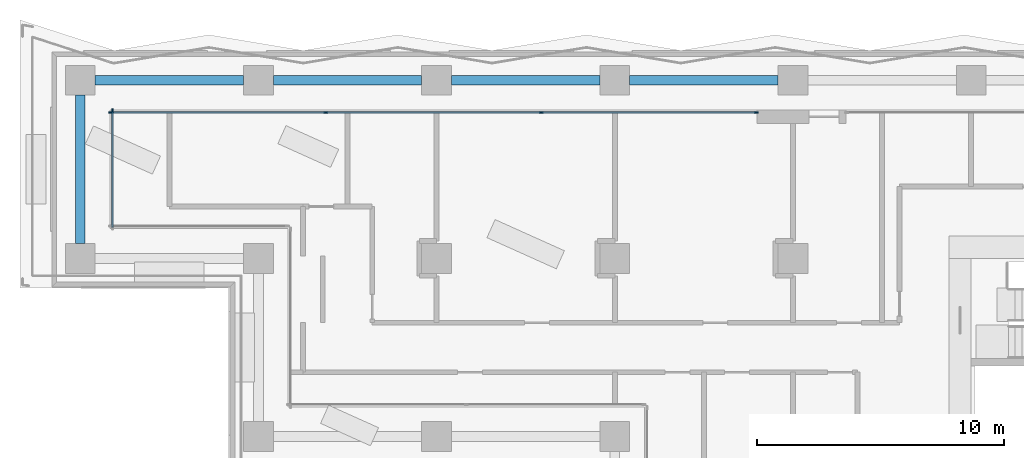
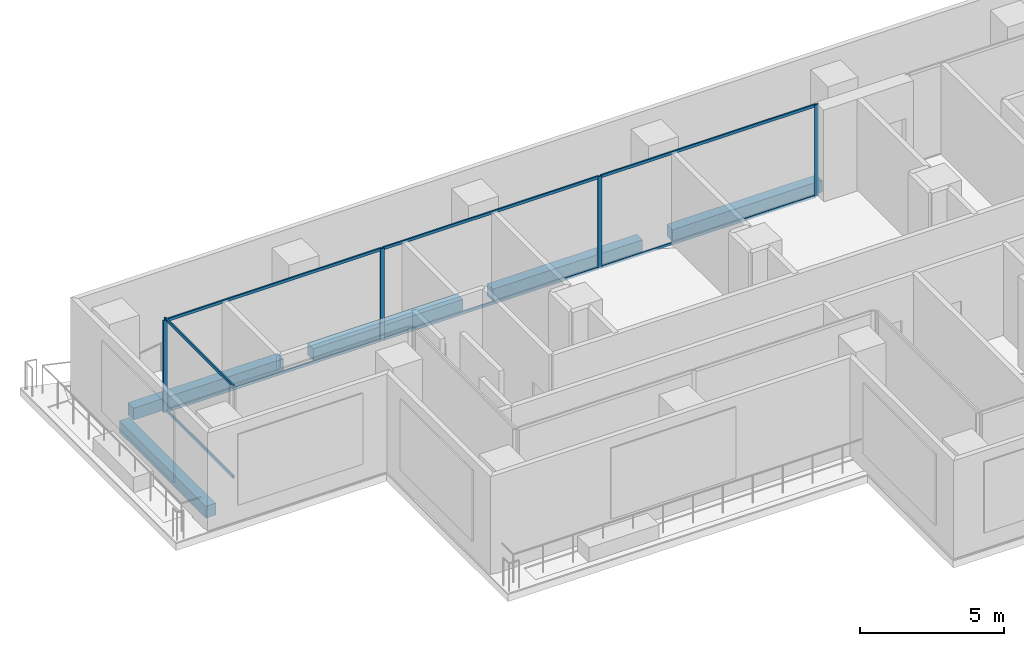
# One storey, part 5 of 24: 13 members, 5 beams, 2 elements without a shape of their own.
"""IFC4 building model written with IfcOpenShell, lengths in metres."""

from ifc_helpers import new_model, si_unit, direction, frame, origin, origin_2d, place, context, subcontext, project, spatial, rectangle, extrude, material, material_profile, profile_set, type_object, element, aggregate, save


model = new_model("IFC4")

# Units and contexts
model_context = context("Model", 3, precision=1e-05, world=origin(), true_north=direction((0.0, 1.0)))
body_context = subcontext(model_context, "Body", "Model", "MODEL_VIEW")
ifc_project = project(units=[si_unit("LENGTHUNIT", "METRE"), si_unit("AREAUNIT", "SQUARE_METRE"), si_unit("VOLUMEUNIT", "CUBIC_METRE"), si_unit("PLANEANGLEUNIT", "RADIAN"), si_unit("MASSUNIT", "GRAM", prefix="KILO")], contexts=[model_context])

# Site, building, storey
site_placement = place(None, origin())
site = spatial("IfcSite", under=ifc_project, at=site_placement, CompositionType="ELEMENT")
building_placement = place(site_placement, origin())
building = spatial("IfcBuilding", under=site, at=building_placement, Name="Windrow Commons", CompositionType="ELEMENT")
storey_placement = place(building_placement, frame((0.0, 0.0, 67.8)))
storey = spatial("IfcBuildingStorey", under=building, at=storey_placement, Name="L18", CompositionType="ELEMENT", Elevation=67.8)

# Curtain wall, members
ifc_material_1 = material(Name="Clear laminated glass in Aluminium 6063-T6 anodised frame", Category="aluminium")
curtain_wall_type = type_object("IfcCurtainWallType", Name="Curtain wall CW2 sky lounge", PredefinedType="USERDEFINED", material=ifc_material_1)
placement = place(storey_placement, origin())
curtain_wall_1 = element("IfcCurtainWall", 1, at=placement, inside=storey, type_object=curtain_wall_type, Name="Curtain wall CW2 L18 4.2", ObjectType="UNITISED", PredefinedType="USERDEFINED")
ifc_material_2 = material(Name="Aluminium 6063-T6", Category="aluminium")
ifc_material_profile_1 = material_profile(ifc_material_2, rectangle(XDim=0.06, YDim=0.16, at=origin_2d()))
ifc_profile_set_1 = profile_set([ifc_material_profile_1], Name="Aluminium 6063-T6")
member_type_1 = type_object("IfcMemberType", Name="CW2 mullion 60x160", PredefinedType="MULLION", material=ifc_profile_set_1)
member_1_placement = place(storey_placement, frame((48.9219, 70.7, 0.0), z_axis=(0.0, 0.0, 1.0), x_axis=(0.0, -1.0, 0.0)))
member_1 = element("IfcMember", 2, at=member_1_placement, type_object=member_type_1, Name="CW2 mullion 1", PredefinedType="MULLION", context=body_context, shape_type="SweptSolid", body=[
    extrude(rectangle(XDim=0.06, YDim=0.16, at=origin_2d()), origin(), (0.0, 0.0, 1.0), 3.9),
])
member_2_placement = place(storey_placement, frame((40.2346, 70.7, 0.0), z_axis=(0.0, 0.0, 1.0), x_axis=(0.0, -1.0, 0.0)))
member_2 = element("IfcMember", 3, at=member_2_placement, type_object=member_type_1, Name="CW2 mullion 2", PredefinedType="MULLION", context=body_context, shape_type="SweptSolid", body=[
    extrude(rectangle(XDim=0.06, YDim=0.16, at=origin_2d()), origin(), (0.0, 0.0, 1.0), 3.9),
])
member_3_placement = place(storey_placement, frame((31.5173, 70.7, 0.0), z_axis=(0.0, 0.0, 1.0), x_axis=(0.0, -1.0, 0.0)))
member_3 = element("IfcMember", 4, at=member_3_placement, type_object=member_type_1, Name="CW2 mullion 3", PredefinedType="MULLION", context=body_context, shape_type="SweptSolid", body=[
    extrude(rectangle(XDim=0.06, YDim=0.16, at=origin_2d()), origin(), (0.0, 0.0, 1.0), 3.9),
])
member_4_placement = place(storey_placement, frame((22.83, 70.7, 0.0), z_axis=(0.0, 0.0, 1.0), x_axis=(0.0, -1.0, 0.0)))
member_4 = element("IfcMember", 5, at=member_4_placement, type_object=member_type_1, Name="CW2 mullion 4", PredefinedType="MULLION", context=body_context, shape_type="SweptSolid", body=[
    extrude(rectangle(XDim=0.06, YDim=0.16, at=origin_2d()), origin(), (0.0, 0.0, 1.0), 3.9),
])

# Curtain wall, member
curtain_wall_2 = element("IfcCurtainWall", 6, at=placement, inside=storey, type_object=curtain_wall_type, Name="Curtain wall CW2 L18 5", ObjectType="UNITISED", PredefinedType="USERDEFINED")
member_5_placement = place(storey_placement, frame((22.9, 70.77, 0.0), z_axis=(0.0, 0.0, 1.0), x_axis=(1.0, 0.0, 0.0)))
member_5 = element("IfcMember", 7, at=member_5_placement, type_object=member_type_1, Name="CW2 mullion 1", PredefinedType="MULLION", context=body_context, shape_type="SweptSolid", body=[
    extrude(rectangle(XDim=0.06, YDim=0.16, at=origin_2d()), origin(), (0.0, 0.0, 1.0), 3.9),
])

# Member
ifc_material_3 = material(Name="Aluminium 6063-T6", Category="aluminium")
ifc_material_profile_2 = material_profile(ifc_material_3, rectangle(XDim=0.06, YDim=0.12, at=origin_2d()))
ifc_profile_set_2 = profile_set([ifc_material_profile_2], Name="Aluminium 6063-T6")
member_type_2 = type_object("IfcMemberType", Name="CW2 transom 60x120", PredefinedType="USERDEFINED", material=ifc_profile_set_2)
member_6_placement = place(storey_placement, frame((48.8919, 70.7, 0.03), z_axis=(-1.0, 0.0, 0.0), x_axis=(0.0, -1.0, 0.0)))
member_6 = element("IfcMember", 8, at=member_6_placement, type_object=member_type_2, Name="CW2 transom 1.1", ObjectType="TRANSOM", PredefinedType="USERDEFINED", context=body_context, shape_type="SweptSolid", body=[
    extrude(rectangle(XDim=0.06, YDim=0.12, at=origin_2d()), origin(), (0.0, 0.0, 1.0), 8.6273),
])

member_7_placement = place(storey_placement, frame((48.8919, 70.7, 3.87), z_axis=(-1.0, 0.0, 0.0), x_axis=(0.0, -1.0, 0.0)))
member_7 = element("IfcMember", 9, at=member_7_placement, type_object=member_type_2, Name="CW2 transom 1.2", ObjectType="TRANSOM", PredefinedType="USERDEFINED", context=body_context, shape_type="SweptSolid", body=[
    extrude(rectangle(XDim=0.06, YDim=0.12, at=origin_2d()), origin(), (0.0, 0.0, 1.0), 8.6273),
])

member_8_placement = place(storey_placement, frame((40.2046, 70.7, 0.03), z_axis=(-1.0, 0.0, 0.0), x_axis=(0.0, -1.0, 0.0)))
member_8 = element("IfcMember", 10, at=member_8_placement, type_object=member_type_2, Name="CW2 transom 2.1", ObjectType="TRANSOM", PredefinedType="USERDEFINED", context=body_context, shape_type="SweptSolid", body=[
    extrude(rectangle(XDim=0.06, YDim=0.12, at=origin_2d()), origin(), (0.0, 0.0, 1.0), 8.6573),
])

member_9_placement = place(storey_placement, frame((40.2046, 70.7, 3.87), z_axis=(-1.0, 0.0, 0.0), x_axis=(0.0, -1.0, 0.0)))
member_9 = element("IfcMember", 11, at=member_9_placement, type_object=member_type_2, Name="CW2 transom 2.2", ObjectType="TRANSOM", PredefinedType="USERDEFINED", context=body_context, shape_type="SweptSolid", body=[
    extrude(rectangle(XDim=0.06, YDim=0.12, at=origin_2d()), origin(), (0.0, 0.0, 1.0), 8.6573),
])

member_10_placement = place(storey_placement, frame((31.4873, 70.7, 0.03), z_axis=(-1.0, 0.0, 0.0), x_axis=(0.0, -1.0, 0.0)))
member_10 = element("IfcMember", 12, at=member_10_placement, type_object=member_type_2, Name="CW2 transom 3.1", ObjectType="TRANSOM", PredefinedType="USERDEFINED", context=body_context, shape_type="SweptSolid", body=[
    extrude(rectangle(XDim=0.06, YDim=0.12, at=origin_2d()), origin(), (0.0, 0.0, 1.0), 8.6273),
])

member_11_placement = place(storey_placement, frame((31.4873, 70.7, 3.87), z_axis=(-1.0, 0.0, 0.0), x_axis=(0.0, -1.0, 0.0)))
member_11 = element("IfcMember", 13, at=member_11_placement, type_object=member_type_2, Name="CW2 transom 3.2", ObjectType="TRANSOM", PredefinedType="USERDEFINED", context=body_context, shape_type="SweptSolid", body=[
    extrude(rectangle(XDim=0.06, YDim=0.12, at=origin_2d()), origin(), (0.0, 0.0, 1.0), 8.6273),
])

aggregate(curtain_wall_1, [member_1, member_2, member_3, member_4, member_6, member_7, member_8, member_9, member_10, member_11])

member_12_placement = place(storey_placement, frame((22.9, 70.74, 0.03), z_axis=(0.0, -1.0, 0.0), x_axis=(1.0, 0.0, 0.0)))
member_12 = element("IfcMember", 14, at=member_12_placement, type_object=member_type_2, Name="CW2 transom 1.1", ObjectType="TRANSOM", PredefinedType="USERDEFINED", context=body_context, shape_type="SweptSolid", body=[
    extrude(rectangle(XDim=0.06, YDim=0.12, at=origin_2d()), origin(), (0.0, 0.0, 1.0), 4.68),
])

member_13_placement = place(storey_placement, frame((22.9, 70.74, 3.87), z_axis=(0.0, -1.0, 0.0), x_axis=(1.0, 0.0, 0.0)))
member_13 = element("IfcMember", 15, at=member_13_placement, type_object=member_type_2, Name="CW2 transom 1.2", ObjectType="TRANSOM", PredefinedType="USERDEFINED", context=body_context, shape_type="SweptSolid", body=[
    extrude(rectangle(XDim=0.06, YDim=0.12, at=origin_2d()), origin(), (0.0, 0.0, 1.0), 4.68),
])

aggregate(curtain_wall_2, [member_5, member_12, member_13])

# Beams
ifc_material_4 = material(Name="Concrete C60/75", Category="concrete")
ifc_material_profile_3 = material_profile(ifc_material_4, rectangle(XDim=0.4, YDim=0.5, at=origin_2d()))
ifc_profile_set_3 = profile_set([ifc_material_profile_3], Name="Concrete C60/75")
beam_type = type_object("IfcBeamType", Name="RC EDGE BEAM 400x500 C60/75", PredefinedType="SPANDREL", material=ifc_profile_set_3)
for number, where, z_axis, x_axis, name in (
    (16, (21.6, 65.4, -0.55), (0.0, 1.0, 0.0), (-1.0, 0.0, 0.0), "Edge beam L18 004"),
    (17, (22.2, 72.0, -0.55), (1.0, 0.0, 0.0), (0.0, 1.0, 0.0), "Edge beam L18 005"),
    (18, (29.4, 72.0, -0.55), (1.0, 0.0, 0.0), (0.0, 1.0, 0.0), "Edge beam L18 006"),
    (19, (36.6, 72.0, -0.55), (1.0, 0.0, 0.0), (0.0, 1.0, 0.0), "Edge beam L18 007"),
    (20, (43.8, 72.0, -0.55), (1.0, 0.0, 0.0), (0.0, 1.0, 0.0), "Edge beam L18 008"),
):
    element("IfcBeam", number, at=place(storey_placement, frame(where, z_axis=z_axis, x_axis=x_axis)), inside=storey, type_object=beam_type, Name=name, PredefinedType="SPANDREL", context=body_context, shape_type="SweptSolid", body=[
        extrude(rectangle(XDim=0.4, YDim=0.5, at=origin_2d()), origin(), (0.0, 0.0, 1.0), 6.0),
    ])

save(model, "model.ifc")
